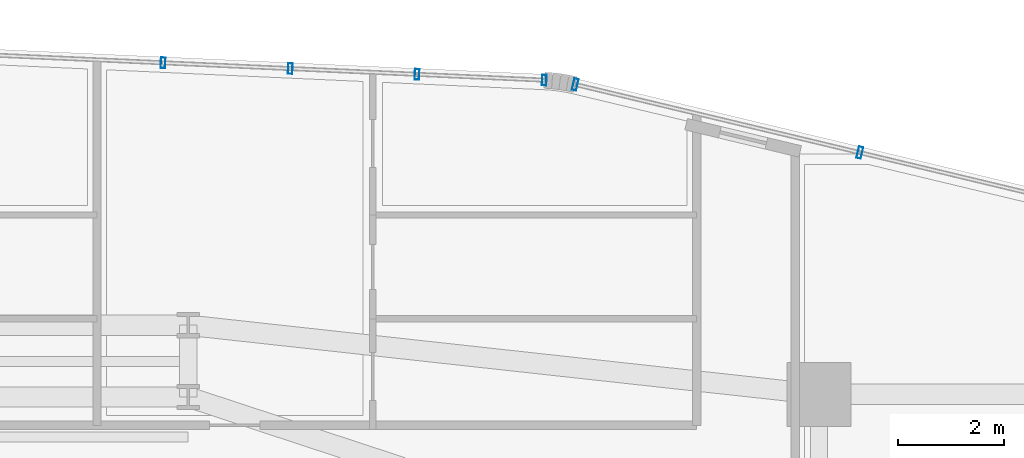
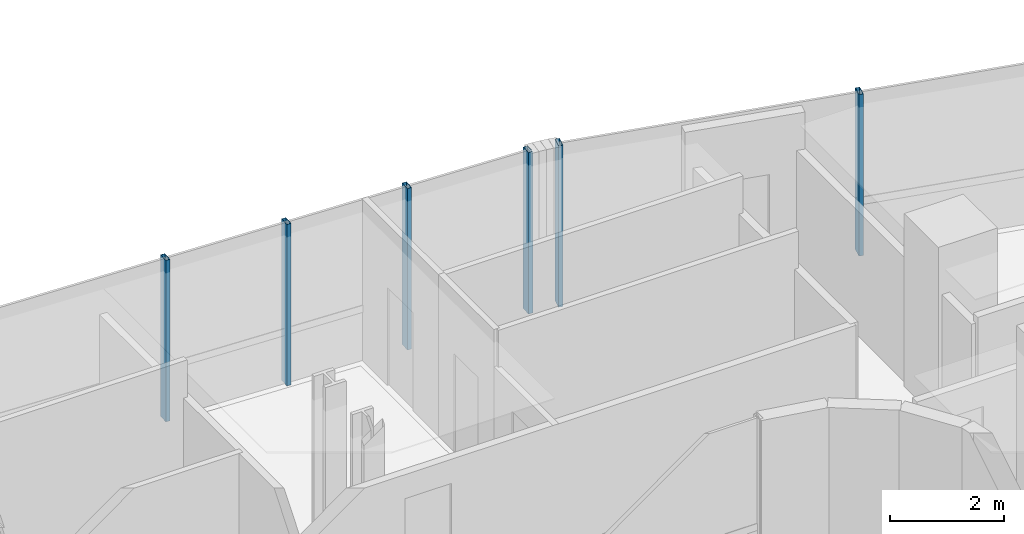
# One storey, part 24 of 38: 6 members, 2 elements without a shape of their own.
"""IFC4 building model written with IfcOpenShell, lengths in metres."""

from ifc_helpers import new_model, si_unit, direction, frame, origin, origin_2d, place, context, subcontext, project, spatial, hollow_rectangle, extrude, source, transform, mapped, material, material_profile, profile_set, type_object, element, aggregate, save


model = new_model("IFC4")

# Units and contexts
model_context = context("Model", 3, precision=1e-05, world=origin(), true_north=direction((0.0, 1.0)))
body_context = subcontext(model_context, "Body", "Model", "MODEL_VIEW")
ifc_project = project(units=[si_unit("LENGTHUNIT", "METRE"), si_unit("AREAUNIT", "SQUARE_METRE"), si_unit("VOLUMEUNIT", "CUBIC_METRE"), si_unit("PLANEANGLEUNIT", "RADIAN"), si_unit("MASSUNIT", "GRAM", prefix="KILO")], contexts=[model_context])

# Site, building, storey
site_placement = place(None, origin())
site = spatial("IfcSite", under=ifc_project, at=site_placement, CompositionType="ELEMENT")
building_placement = place(site_placement, origin())
building = spatial("IfcBuilding", under=site, at=building_placement, Name="Valdorenza Pilgrim Sanctuary Tower", CompositionType="ELEMENT")
storey_placement = place(building_placement, frame((0.0, 0.0, 131.60009765625)))
storey = spatial("IfcBuildingStorey", under=building, at=storey_placement, Name="L33", CompositionType="ELEMENT", Elevation=131.60009765625)

# Curtain wall, members
ifc_material_1 = material(Name="Curtain-wall IGU glazing", Category="glass")
curtain_wall_type_1 = type_object("IfcCurtainWallType", Name="CW-SYS-02", PredefinedType="NOTDEFINED", material=ifc_material_1)
curtain_wall_1_placement = place(storey_placement, origin())
curtain_wall_1 = element("IfcCurtainWall", 1, at=curtain_wall_1_placement, inside=storey, type_object=curtain_wall_type_1, Name="L33 Curtain Wall CW-L33-1-11", PredefinedType="NOTDEFINED")
ifc_material_2 = material(Name="Anodised aluminium AW-6060", Category="aluminium")
ifc_material_profile_1 = material_profile(ifc_material_2, hollow_rectangle(XDim=0.0849609375, YDim=0.199951171875, WallThickness=0.0048828125, at=origin_2d()), Name="ALU-M 200x85x5")
ifc_profile_set_1 = profile_set([ifc_material_profile_1], Name="Anodised aluminium AW-6060")
member_type_1 = type_object("IfcMemberType", Name="CW-MUL-02", PredefinedType="MULLION", material=ifc_profile_set_1)
shared_shape_1 = source(origin(), body_context, "Body", "SweptSolid", [
    extrude(hollow_rectangle(XDim=0.0849609375, YDim=0.199951171875, WallThickness=0.0048828125, at=origin_2d()), origin(), (0.0, 0.0, 1.0), 3.4599609375),
])
member_1_placement = place(storey_placement, frame((3.528076171875, 19.7294921875, 0.0), z_axis=(0.0, 0.0, 1.0), x_axis=(0.998968193221, -0.045415294044, 0.0)))
member_1 = element("IfcMember", 2, at=member_1_placement, type_object=member_type_1, Name="CW-L33-1-11 Mullion 3", PredefinedType="MULLION", context=body_context, shape_type="MappedRepresentation", body=[
    mapped(shared_shape_1, transform((0.0, 0.0, 0.0), x_axis=(1.0, 0.0, 0.0), y_axis=(0.0, 1.0, 0.0), z_axis=(0.0, 0.0, 1.0), scale=1.0)),
])
member_2_placement = place(storey_placement, frame((10.68994140625, 19.404052734375, 0.0), z_axis=(0.0, 0.0, 1.0), x_axis=(0.998968193221, -0.045415294044, 0.0)))
member_2 = element("IfcMember", 3, at=member_2_placement, type_object=member_type_1, Name="CW-L33-1-11 Mullion 4", PredefinedType="MULLION", context=body_context, shape_type="MappedRepresentation", body=[
    mapped(shared_shape_1, transform((0.0, 0.0, 0.0), x_axis=(1.0, 0.0, 0.0), y_axis=(0.0, 1.0, 0.0), z_axis=(0.0, 0.0, 1.0), scale=1.0)),
])
member_3_placement = place(storey_placement, frame((5.918701171875, 19.620849609375, 0.0), z_axis=(0.0, 0.0, 1.0), x_axis=(0.998968193221, -0.045415294044, 0.0)))
member_3 = element("IfcMember", 4, at=member_3_placement, type_object=member_type_1, Name="CW-L33-1-11 Sub-Mullion 60-1", PredefinedType="MULLION", context=body_context, shape_type="MappedRepresentation", body=[
    mapped(shared_shape_1, transform((0.0, 0.0, 0.0), x_axis=(1.0, 0.0, 0.0), y_axis=(0.0, 1.0, 0.0), z_axis=(0.0, 0.0, 1.0), scale=1.0)),
])
member_4_placement = place(storey_placement, frame((8.29931640625, 19.5126953125, 0.0), z_axis=(0.0, 0.0, 1.0), x_axis=(0.998968193221, -0.045415294044, 0.0)))
member_4 = element("IfcMember", 5, at=member_4_placement, type_object=member_type_1, Name="CW-L33-1-11 Sub-Mullion 60-2", PredefinedType="MULLION", context=body_context, shape_type="MappedRepresentation", body=[
    mapped(shared_shape_1, transform((0.0, 0.0, 0.0), x_axis=(1.0, 0.0, 0.0), y_axis=(0.0, 1.0, 0.0), z_axis=(0.0, 0.0, 1.0), scale=1.0)),
])
aggregate(curtain_wall_1, [member_1, member_2, member_3, member_4])

curtain_wall_type_2 = type_object("IfcCurtainWallType", Name="CW-SYS-03", PredefinedType="NOTDEFINED", material=ifc_material_1)
curtain_wall_2_placement = place(storey_placement, origin())
curtain_wall_2 = element("IfcCurtainWall", 6, at=curtain_wall_2_placement, inside=storey, type_object=curtain_wall_type_2, Name="L33 Curtain Wall CW-L33-1-16", PredefinedType="NOTDEFINED")
ifc_material_profile_2 = material_profile(ifc_material_2, hollow_rectangle(XDim=0.0849609375, YDim=0.219970703125, WallThickness=0.0048828125, at=origin_2d()), Name="ALU-M 220x85x5")
ifc_profile_set_2 = profile_set([ifc_material_profile_2], Name="Anodised aluminium AW-6060")
member_type_2 = type_object("IfcMemberType", Name="CW-MUL-03", PredefinedType="MULLION", material=ifc_profile_set_2)
shared_shape_2 = source(origin(), body_context, "Body", "SweptSolid", [
    extrude(hollow_rectangle(XDim=0.0849609375, YDim=0.219970703125, WallThickness=0.0048828125, at=origin_2d()), origin(), (0.0, 0.0, 1.0), 3.4599609375),
])
member_5_placement = place(storey_placement, frame((11.271484375, 19.322021484375, 0.0), z_axis=(0.0, 0.0, 1.0), x_axis=(0.972528596343, -0.232783438617, 0.0)))
member_5 = element("IfcMember", 7, at=member_5_placement, type_object=member_type_2, Name="CW-L33-1-16 Mullion 1", PredefinedType="MULLION", context=body_context, shape_type="MappedRepresentation", body=[
    mapped(shared_shape_2, transform((0.0, 0.0, 0.0), x_axis=(1.0, 0.0, 0.0), y_axis=(0.0, 1.0, 0.0), z_axis=(0.0, 0.0, 1.0), scale=1.0)),
])
member_6_placement = place(storey_placement, frame((16.617919921875, 18.042236328125, 0.0), z_axis=(0.0, 0.0, 1.0), x_axis=(0.972528596343, -0.232783438617, 0.0)))
member_6 = element("IfcMember", 8, at=member_6_placement, type_object=member_type_2, Name="CW-L33-1-16 Mullion 2", PredefinedType="MULLION", context=body_context, shape_type="MappedRepresentation", body=[
    mapped(shared_shape_2, transform((0.0, 0.0, 0.0), x_axis=(1.0, 0.0, 0.0), y_axis=(0.0, 1.0, 0.0), z_axis=(0.0, 0.0, 1.0), scale=1.0)),
])
aggregate(curtain_wall_2, [member_5, member_6])

save(model, "model.ifc")
